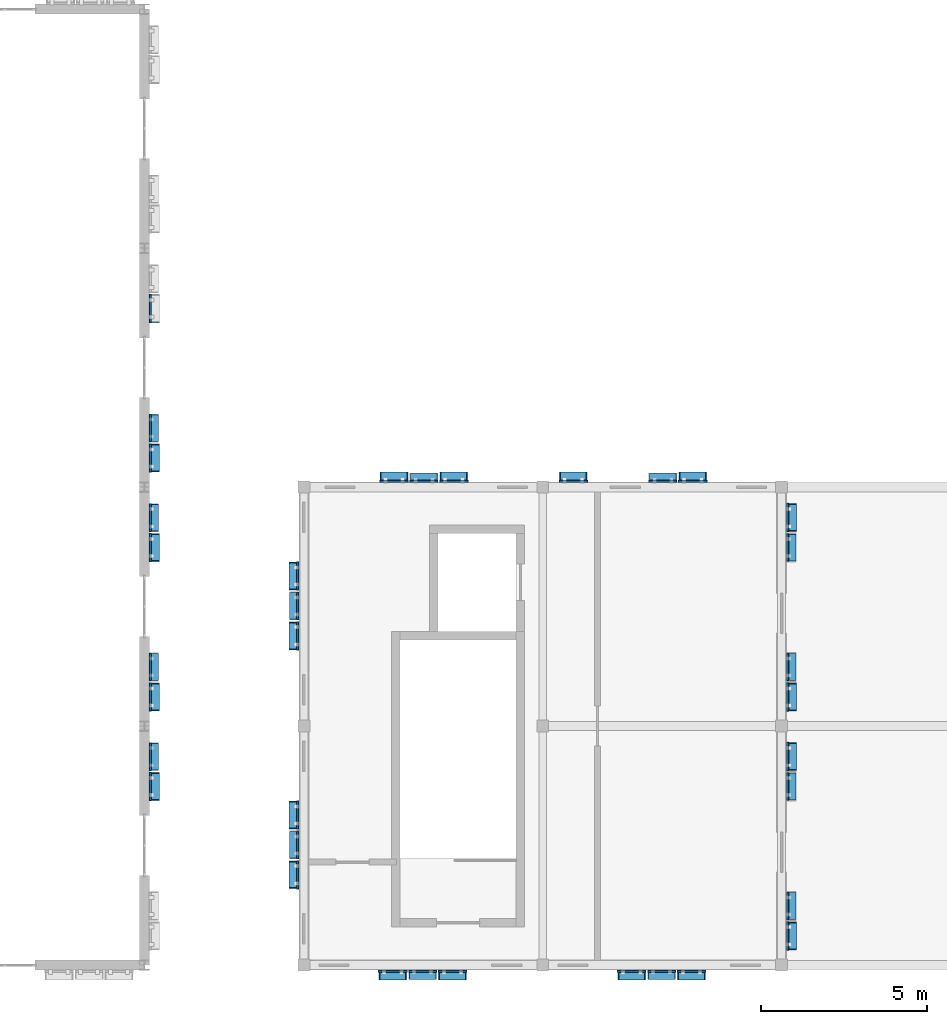
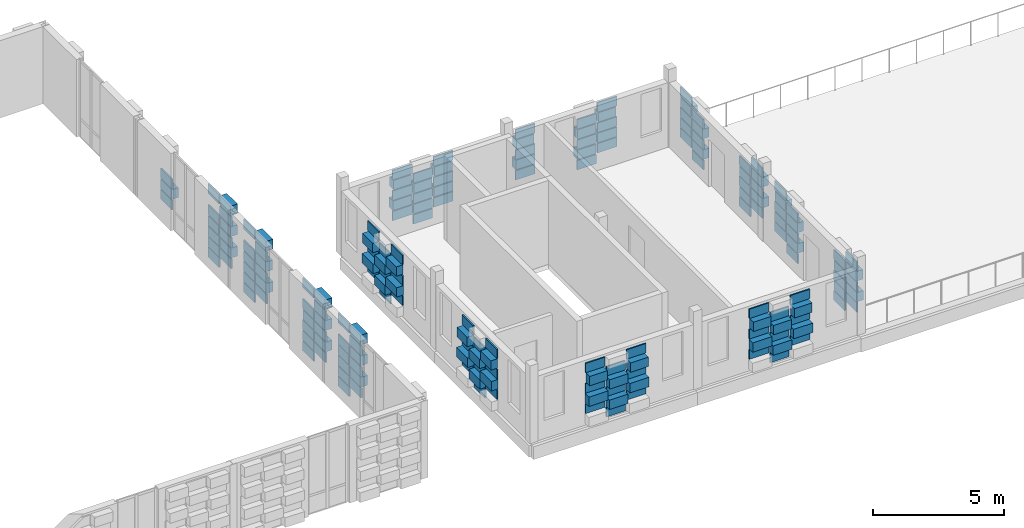
# One storey, part 29 of 57: 181 plates.
"""IFC4 building model written with IfcOpenShell, lengths in metres."""

from ifc_helpers import new_model, si_unit, direction, frame, origin, origin_2d, place, context, subcontext, project, spatial, rectangle, extrude, material, layer, layer_set, type_object, element, save


model = new_model("IFC4")

# Units and contexts
model_context = context("Model", 3, precision=1e-05, world=origin(), true_north=direction((0.0, 1.0)))
body_context = subcontext(model_context, "Body", "Model", "MODEL_VIEW")
ifc_project = project(units=[si_unit("LENGTHUNIT", "METRE"), si_unit("AREAUNIT", "SQUARE_METRE"), si_unit("VOLUMEUNIT", "CUBIC_METRE"), si_unit("PLANEANGLEUNIT", "RADIAN"), si_unit("MASSUNIT", "GRAM", prefix="KILO")], contexts=[model_context])

# Site, building, storey
site_placement = place(None, origin())
site = spatial("IfcSite", under=ifc_project, at=site_placement, CompositionType="ELEMENT")
building_placement = place(site_placement, origin())
building = spatial("IfcBuilding", under=site, at=building_placement, Name="Kahlenmark Community Centre", CompositionType="ELEMENT")
storey_placement = place(building_placement, frame((0.0, 0.0, 13.800048828125)))
storey = spatial("IfcBuildingStorey", under=building, at=storey_placement, Name="L03", CompositionType="ELEMENT", Elevation=13.800048828125)

# Plates
ifc_material_1 = material(Name="Extruded warm terracotta recessed weave tile", Category="masonry")
ifc_layer_1 = layer(ifc_material_1, 0.06005859375)
ifc_layer_set_1 = layer_set([ifc_layer_1], Name="Extruded warm terracotta recessed weave tile")
plate_type_1 = type_object("IfcPlateType", Name="PLT-TC-TC-R10-840X60X435", PredefinedType="SHEET", material=ifc_layer_set_1)
for number, where, z_axis, x_axis, name in (
    (1, (54.3798828125, 8.6201171875, 0.099853515625), (0.0, 0.0, 1.0), (1.0, 0.0, 0.0), "Basketweave terracotta cassette 4478"),
    (2, (54.3798828125, 8.6201171875, 1.0498046875), (0.0, 0.0, 1.0), (1.0, 0.0, 0.0), "Basketweave terracotta cassette 4480"),
    (3, (54.3798828125, 8.6201171875, 2.0), (0.0, 0.0, 1.0), (1.0, 0.0, 0.0), "Basketweave terracotta cassette 4482"),
    (4, (61.580078125, 8.6201171875, 0.099853515625), (0.0, 0.0, 1.0), (1.0, 0.0, 0.0), "Basketweave terracotta cassette 4496"),
    (5, (61.580078125, 8.6201171875, 1.0498046875), (0.0, 0.0, 1.0), (1.0, 0.0, 0.0), "Basketweave terracotta cassette 4498"),
    (6, (61.580078125, 8.6201171875, 2.0), (0.0, 0.0, 1.0), (1.0, 0.0, 0.0), "Basketweave terracotta cassette 4500"),
    (7, (61.6201171875, 23.3798828125, 0.099853515625), (0.0, 0.0, 1.0), (-1.0, 0.0, 0.0), "Basketweave terracotta cassette 4514"),
    (8, (61.6201171875, 23.3798828125, 1.0498046875), (0.0, 0.0, 1.0), (-1.0, 0.0, 0.0), "Basketweave terracotta cassette 4516"),
    (9, (61.6201171875, 23.3798828125, 2.0), (0.0, 0.0, 1.0), (-1.0, 0.0, 0.0), "Basketweave terracotta cassette 4518"),
    (10, (54.419921875, 23.3798828125, 0.099853515625), (0.0, 0.0, 1.0), (-1.0, 0.0, 0.0), "Basketweave terracotta cassette 4532"),
    (11, (54.419921875, 23.3798828125, 1.0498046875), (0.0, 0.0, 1.0), (-1.0, 0.0, 0.0), "Basketweave terracotta cassette 4534"),
    (12, (54.419921875, 23.3798828125, 2.0), (0.0, 0.0, 1.0), (-1.0, 0.0, 0.0), "Basketweave terracotta cassette 4536"),
    (13, (50.6201171875, 19.6201171875, 0.099853515625), (0.0, 0.0, 1.0), (0.0, -1.0, 0.0), "Basketweave terracotta cassette 4550"),
    (14, (50.6201171875, 19.6201171875, 1.0498046875), (0.0, 0.0, 1.0), (0.0, -1.0, 0.0), "Basketweave terracotta cassette 4552"),
    (15, (50.6201171875, 19.6201171875, 2.0), (0.0, 0.0, 1.0), (0.0, -1.0, 0.0), "Basketweave terracotta cassette 4554"),
    (16, (50.6201171875, 12.419921875, 0.099853515625), (0.0, 0.0, 1.0), (0.0, -1.0, 0.0), "Basketweave terracotta cassette 4568"),
    (17, (50.6201171875, 12.419921875, 1.0498046875), (0.0, 0.0, 1.0), (0.0, -1.0, 0.0), "Basketweave terracotta cassette 4570"),
    (18, (50.6201171875, 12.419921875, 2.0), (0.0, 0.0, 1.0), (0.0, -1.0, 0.0), "Basketweave terracotta cassette 4572"),
    (19, (65.3798828125, 10.580078125, 0.099853515625), (0.0, 0.0, 1.0), (0.0, 1.0, 0.0), "Basketweave terracotta cassette 4586"),
    (20, (65.3798828125, 10.580078125, 1.0498046875), (0.0, 0.0, 1.0), (0.0, 1.0, 0.0), "Basketweave terracotta cassette 4588"),
    (21, (65.3798828125, 10.580078125, 2.0), (0.0, 0.0, 1.0), (0.0, 1.0, 0.0), "Basketweave terracotta cassette 4590"),
    (22, (65.3798828125, 14.179931640625, 0.099853515625), (0.0, 0.0, 1.0), (0.0, 1.0, 0.0), "Basketweave terracotta cassette 4592"),
    (23, (65.3798828125, 14.179931640625, 1.0498046875), (0.0, 0.0, 1.0), (0.0, 1.0, 0.0), "Basketweave terracotta cassette 4594"),
    (24, (65.3798828125, 14.179931640625, 2.0), (0.0, 0.0, 1.0), (0.0, 1.0, 0.0), "Basketweave terracotta cassette 4596"),
    (25, (65.3798828125, 17.780029296875, 0.099853515625), (0.0, 0.0, 1.0), (0.0, 1.0, 0.0), "Basketweave terracotta cassette 4610"),
    (26, (65.3798828125, 17.780029296875, 1.0498046875), (0.0, 0.0, 1.0), (0.0, 1.0, 0.0), "Basketweave terracotta cassette 4612"),
    (27, (65.3798828125, 17.780029296875, 2.0), (0.0, 0.0, 1.0), (0.0, 1.0, 0.0), "Basketweave terracotta cassette 4614"),
    (28, (65.3798828125, 21.3798828125, 0.099853515625), (0.0, 0.0, 1.0), (0.0, 1.0, 0.0), "Basketweave terracotta cassette 4616"),
    (29, (65.3798828125, 21.3798828125, 1.0498046875), (0.0, 0.0, 1.0), (0.0, 1.0, 0.0), "Basketweave terracotta cassette 4618"),
    (30, (65.3798828125, 21.3798828125, 2.0), (0.0, 0.0, 1.0), (0.0, 1.0, 0.0), "Basketweave terracotta cassette 4620"),
):
    element("IfcPlate", number, at=place(storey_placement, frame(where, z_axis=z_axis, x_axis=x_axis)), inside=storey, type_object=plate_type_1, Name=name, PredefinedType="SHEET", context=body_context, shape_type="SweptSolid", body=[
        extrude(rectangle(XDim=0.840087890625, YDim=0.06005859375, at=origin_2d()), origin(), (0.0, 0.0, 1.0), 0.43505859375),
    ])
ifc_layer_2 = layer(ifc_material_1, 0.06005859375)
ifc_layer_set_2 = layer_set([ifc_layer_2], Name="Extruded warm terracotta recessed weave tile")
plate_type_2 = type_object("IfcPlateType", Name="PLT-TC-TC-R10-840X60X450", PredefinedType="SHEET", material=ifc_layer_set_2)
for number, where, z_axis, x_axis, name in (
    (31, (46.179931640625, 15.080078125, 0.10009765625), (0.0, 0.0, 1.0), (0.0, 1.0, 0.0), "Basketweave terracotta cassette 3865"),
    (32, (46.179931640625, 15.080078125, 1.080078125), (0.0, 0.0, 1.0), (0.0, 1.0, 0.0), "Basketweave terracotta cassette 3867"),
    (33, (46.179931640625, 15.080078125, 2.06005859375), (0.0, 0.0, 1.0), (0.0, 1.0, 0.0), "Basketweave terracotta cassette 3869"),
    (34, (46.179931640625, 15.080078125, 3.0400390625), (0.0, 0.0, 1.0), (0.0, 1.0, 0.0), "Basketweave terracotta cassette 3871"),
    (35, (46.179931640625, 17.780029296875, 0.10009765625), (0.0, 0.0, 1.0), (0.0, 1.0, 0.0), "Basketweave terracotta cassette 3879"),
    (36, (46.179931640625, 17.780029296875, 1.080078125), (0.0, 0.0, 1.0), (0.0, 1.0, 0.0), "Basketweave terracotta cassette 3881"),
    (37, (46.179931640625, 17.780029296875, 2.06005859375), (0.0, 0.0, 1.0), (0.0, 1.0, 0.0), "Basketweave terracotta cassette 3883"),
    (38, (46.179931640625, 17.780029296875, 3.0400390625), (0.0, 0.0, 1.0), (0.0, 1.0, 0.0), "Basketweave terracotta cassette 3885"),
    (39, (46.179931640625, 22.280029296875, 0.10009765625), (0.0, 0.0, 1.0), (0.0, 1.0, 0.0), "Basketweave terracotta cassette 3893"),
    (40, (46.179931640625, 22.280029296875, 1.080078125), (0.0, 0.0, 1.0), (0.0, 1.0, 0.0), "Basketweave terracotta cassette 3895"),
    (41, (46.179931640625, 22.280029296875, 2.06005859375), (0.0, 0.0, 1.0), (0.0, 1.0, 0.0), "Basketweave terracotta cassette 3897"),
    (42, (46.179931640625, 22.280029296875, 3.0400390625), (0.0, 0.0, 1.0), (0.0, 1.0, 0.0), "Basketweave terracotta cassette 3899"),
    (43, (46.179931640625, 24.97998046875, 0.10009765625), (0.0, 0.0, 1.0), (0.0, 1.0, 0.0), "Basketweave terracotta cassette 3907"),
    (44, (46.179931640625, 24.97998046875, 1.080078125), (0.0, 0.0, 1.0), (0.0, 1.0, 0.0), "Basketweave terracotta cassette 3909"),
    (45, (46.179931640625, 24.97998046875, 2.06005859375), (0.0, 0.0, 1.0), (0.0, 1.0, 0.0), "Basketweave terracotta cassette 3911"),
    (46, (46.179931640625, 24.97998046875, 3.0400390625), (0.0, 0.0, 1.0), (0.0, 1.0, 0.0), "Basketweave terracotta cassette 3913"),
):
    element("IfcPlate", number, at=place(storey_placement, frame(where, z_axis=z_axis, x_axis=x_axis)), inside=storey, type_object=plate_type_2, Name=name, PredefinedType="SHEET", context=body_context, shape_type="SweptSolid", body=[
        extrude(rectangle(XDim=0.840087890625, YDim=0.06005859375, at=origin_2d()), origin(), (0.0, 0.0, 1.0), 0.449951171875),
    ])
ifc_layer_3 = layer(ifc_material_1, 0.06005859375)
ifc_layer_set_3 = layer_set([ifc_layer_3], Name="Extruded warm terracotta recessed weave tile")
plate_type_3 = type_object("IfcPlateType", Name="PLT-TC-TC-R10-860X60X435", PredefinedType="SHEET", material=ifc_layer_set_3)
for number, where, z_axis, x_axis, name in (
    (47, (53.47998046875, 8.6201171875, 0.574951171875), (0.0, 0.0, 1.0), (1.0, 0.0, 0.0), "Basketweave terracotta cassette 4473"),
    (48, (53.47998046875, 8.6201171875, 1.52490234375), (0.0, 0.0, 1.0), (1.0, 0.0, 0.0), "Basketweave terracotta cassette 4475"),
    (49, (53.47998046875, 8.6201171875, 2.474853515625), (0.0, 0.0, 1.0), (1.0, 0.0, 0.0), "Basketweave terracotta cassette 4477"),
    (50, (55.280029296875, 8.6201171875, 0.574951171875), (0.0, 0.0, 1.0), (1.0, 0.0, 0.0), "Basketweave terracotta cassette 4485"),
    (51, (55.280029296875, 8.6201171875, 1.52490234375), (0.0, 0.0, 1.0), (1.0, 0.0, 0.0), "Basketweave terracotta cassette 4487"),
    (52, (55.280029296875, 8.6201171875, 2.474853515625), (0.0, 0.0, 1.0), (1.0, 0.0, 0.0), "Basketweave terracotta cassette 4489"),
    (53, (60.679931640625, 8.6201171875, 0.574951171875), (0.0, 0.0, 1.0), (1.0, 0.0, 0.0), "Basketweave terracotta cassette 4491"),
    (54, (60.679931640625, 8.6201171875, 1.52490234375), (0.0, 0.0, 1.0), (1.0, 0.0, 0.0), "Basketweave terracotta cassette 4493"),
    (55, (60.679931640625, 8.6201171875, 2.474853515625), (0.0, 0.0, 1.0), (1.0, 0.0, 0.0), "Basketweave terracotta cassette 4495"),
    (56, (62.47998046875, 8.6201171875, 0.574951171875), (0.0, 0.0, 1.0), (1.0, 0.0, 0.0), "Basketweave terracotta cassette 4503"),
    (57, (62.47998046875, 8.6201171875, 1.52490234375), (0.0, 0.0, 1.0), (1.0, 0.0, 0.0), "Basketweave terracotta cassette 4505"),
    (58, (62.47998046875, 8.6201171875, 2.474853515625), (0.0, 0.0, 1.0), (1.0, 0.0, 0.0), "Basketweave terracotta cassette 4507"),
    (59, (62.52001953125, 23.3798828125, 0.574951171875), (0.0, 0.0, 1.0), (-1.0, 0.0, 0.0), "Basketweave terracotta cassette 4509"),
    (60, (62.52001953125, 23.3798828125, 1.52490234375), (0.0, 0.0, 1.0), (-1.0, 0.0, 0.0), "Basketweave terracotta cassette 4511"),
    (61, (62.52001953125, 23.3798828125, 2.474853515625), (0.0, 0.0, 1.0), (-1.0, 0.0, 0.0), "Basketweave terracotta cassette 4513"),
    (62, (58.919921875, 23.3798828125, 0.574951171875), (0.0, 0.0, 1.0), (-1.0, 0.0, 0.0), "Basketweave terracotta cassette 4521"),
    (63, (58.919921875, 23.3798828125, 1.52490234375), (0.0, 0.0, 1.0), (-1.0, 0.0, 0.0), "Basketweave terracotta cassette 4523"),
    (64, (58.919921875, 23.3798828125, 2.474853515625), (0.0, 0.0, 1.0), (-1.0, 0.0, 0.0), "Basketweave terracotta cassette 4525"),
    (65, (55.320068359375, 23.3798828125, 0.574951171875), (0.0, 0.0, 1.0), (-1.0, 0.0, 0.0), "Basketweave terracotta cassette 4527"),
    (66, (55.320068359375, 23.3798828125, 1.52490234375), (0.0, 0.0, 1.0), (-1.0, 0.0, 0.0), "Basketweave terracotta cassette 4529"),
    (67, (55.320068359375, 23.3798828125, 2.474853515625), (0.0, 0.0, 1.0), (-1.0, 0.0, 0.0), "Basketweave terracotta cassette 4531"),
    (68, (53.52001953125, 23.3798828125, 0.574951171875), (0.0, 0.0, 1.0), (-1.0, 0.0, 0.0), "Basketweave terracotta cassette 4539"),
    (69, (53.52001953125, 23.3798828125, 1.52490234375), (0.0, 0.0, 1.0), (-1.0, 0.0, 0.0), "Basketweave terracotta cassette 4541"),
    (70, (53.52001953125, 23.3798828125, 2.474853515625), (0.0, 0.0, 1.0), (-1.0, 0.0, 0.0), "Basketweave terracotta cassette 4543"),
    (71, (50.6201171875, 20.52001953125, 0.574951171875), (0.0, 0.0, 1.0), (0.0, -1.0, 0.0), "Basketweave terracotta cassette 4545"),
    (72, (50.6201171875, 20.52001953125, 1.52490234375), (0.0, 0.0, 1.0), (0.0, -1.0, 0.0), "Basketweave terracotta cassette 4547"),
    (73, (50.6201171875, 20.52001953125, 2.474853515625), (0.0, 0.0, 1.0), (0.0, -1.0, 0.0), "Basketweave terracotta cassette 4549"),
    (74, (50.6201171875, 18.719970703125, 0.574951171875), (0.0, 0.0, 1.0), (0.0, -1.0, 0.0), "Basketweave terracotta cassette 4557"),
    (75, (50.6201171875, 18.719970703125, 1.52490234375), (0.0, 0.0, 1.0), (0.0, -1.0, 0.0), "Basketweave terracotta cassette 4559"),
    (76, (50.6201171875, 18.719970703125, 2.474853515625), (0.0, 0.0, 1.0), (0.0, -1.0, 0.0), "Basketweave terracotta cassette 4561"),
    (77, (50.6201171875, 13.320068359375, 0.574951171875), (0.0, 0.0, 1.0), (0.0, -1.0, 0.0), "Basketweave terracotta cassette 4563"),
    (78, (50.6201171875, 13.320068359375, 1.52490234375), (0.0, 0.0, 1.0), (0.0, -1.0, 0.0), "Basketweave terracotta cassette 4565"),
    (79, (50.6201171875, 13.320068359375, 2.474853515625), (0.0, 0.0, 1.0), (0.0, -1.0, 0.0), "Basketweave terracotta cassette 4567"),
    (80, (50.6201171875, 11.52001953125, 0.574951171875), (0.0, 0.0, 1.0), (0.0, -1.0, 0.0), "Basketweave terracotta cassette 4575"),
    (81, (50.6201171875, 11.52001953125, 1.52490234375), (0.0, 0.0, 1.0), (0.0, -1.0, 0.0), "Basketweave terracotta cassette 4577"),
    (82, (50.6201171875, 11.52001953125, 2.474853515625), (0.0, 0.0, 1.0), (0.0, -1.0, 0.0), "Basketweave terracotta cassette 4579"),
    (83, (65.3798828125, 9.679931640625, 0.574951171875), (0.0, 0.0, 1.0), (0.0, 1.0, 0.0), "Basketweave terracotta cassette 4581"),
    (84, (65.3798828125, 9.679931640625, 1.52490234375), (0.0, 0.0, 1.0), (0.0, 1.0, 0.0), "Basketweave terracotta cassette 4583"),
    (85, (65.3798828125, 9.679931640625, 2.474853515625), (0.0, 0.0, 1.0), (0.0, 1.0, 0.0), "Basketweave terracotta cassette 4585"),
    (86, (65.3798828125, 15.080078125, 0.574951171875), (0.0, 0.0, 1.0), (0.0, 1.0, 0.0), "Basketweave terracotta cassette 4599"),
    (87, (65.3798828125, 15.080078125, 1.52490234375), (0.0, 0.0, 1.0), (0.0, 1.0, 0.0), "Basketweave terracotta cassette 4601"),
    (88, (65.3798828125, 15.080078125, 2.474853515625), (0.0, 0.0, 1.0), (0.0, 1.0, 0.0), "Basketweave terracotta cassette 4603"),
    (89, (65.3798828125, 16.8798828125, 0.574951171875), (0.0, 0.0, 1.0), (0.0, 1.0, 0.0), "Basketweave terracotta cassette 4605"),
    (90, (65.3798828125, 16.8798828125, 1.52490234375), (0.0, 0.0, 1.0), (0.0, 1.0, 0.0), "Basketweave terracotta cassette 4607"),
    (91, (65.3798828125, 16.8798828125, 2.474853515625), (0.0, 0.0, 1.0), (0.0, 1.0, 0.0), "Basketweave terracotta cassette 4609"),
    (92, (65.3798828125, 22.280029296875, 0.574951171875), (0.0, 0.0, 1.0), (0.0, 1.0, 0.0), "Basketweave terracotta cassette 4623"),
    (93, (65.3798828125, 22.280029296875, 1.52490234375), (0.0, 0.0, 1.0), (0.0, 1.0, 0.0), "Basketweave terracotta cassette 4625"),
    (94, (65.3798828125, 22.280029296875, 2.474853515625), (0.0, 0.0, 1.0), (0.0, 1.0, 0.0), "Basketweave terracotta cassette 4627"),
):
    element("IfcPlate", number, at=place(storey_placement, frame(where, z_axis=z_axis, x_axis=x_axis)), inside=storey, type_object=plate_type_3, Name=name, PredefinedType="SHEET", context=body_context, shape_type="SweptSolid", body=[
        extrude(rectangle(XDim=0.860107421875, YDim=0.06005859375, at=origin_2d()), origin(), (0.0, 0.0, 1.0), 0.43505859375),
    ])
ifc_layer_4 = layer(ifc_material_1, 0.06005859375)
ifc_layer_set_4 = layer_set([ifc_layer_4], Name="Extruded warm terracotta recessed weave tile")
plate_type_4 = type_object("IfcPlateType", Name="PLT-TC-TC-R10-860X60X450", PredefinedType="SHEET", material=ifc_layer_set_4)
for number, where, z_axis, x_axis, name in (
    (95, (46.179931640625, 14.179931640625, 0.58984375), (0.0, 0.0, 1.0), (0.0, 1.0, 0.0), "Basketweave terracotta cassette 3859"),
    (96, (46.179931640625, 14.179931640625, 1.56982421875), (0.0, 0.0, 1.0), (0.0, 1.0, 0.0), "Basketweave terracotta cassette 3861"),
    (97, (46.179931640625, 14.179931640625, 2.5498046875), (0.0, 0.0, 1.0), (0.0, 1.0, 0.0), "Basketweave terracotta cassette 3863"),
    (98, (46.179931640625, 16.8798828125, 0.58984375), (0.0, 0.0, 1.0), (0.0, 1.0, 0.0), "Basketweave terracotta cassette 3873"),
    (99, (46.179931640625, 16.8798828125, 1.56982421875), (0.0, 0.0, 1.0), (0.0, 1.0, 0.0), "Basketweave terracotta cassette 3875"),
    (100, (46.179931640625, 16.8798828125, 2.5498046875), (0.0, 0.0, 1.0), (0.0, 1.0, 0.0), "Basketweave terracotta cassette 3877"),
    (101, (46.179931640625, 21.3798828125, 0.58984375), (0.0, 0.0, 1.0), (0.0, 1.0, 0.0), "Basketweave terracotta cassette 3887"),
    (102, (46.179931640625, 21.3798828125, 1.56982421875), (0.0, 0.0, 1.0), (0.0, 1.0, 0.0), "Basketweave terracotta cassette 3889"),
    (103, (46.179931640625, 21.3798828125, 2.5498046875), (0.0, 0.0, 1.0), (0.0, 1.0, 0.0), "Basketweave terracotta cassette 3891"),
    (104, (46.179931640625, 24.080078125, 0.58984375), (0.0, 0.0, 1.0), (0.0, 1.0, 0.0), "Basketweave terracotta cassette 3901"),
    (105, (46.179931640625, 24.080078125, 1.56982421875), (0.0, 0.0, 1.0), (0.0, 1.0, 0.0), "Basketweave terracotta cassette 3903"),
    (106, (46.179931640625, 24.080078125, 2.5498046875), (0.0, 0.0, 1.0), (0.0, 1.0, 0.0), "Basketweave terracotta cassette 3905"),
    (107, (46.179931640625, 28.580078125, 0.58984375), (0.0, 0.0, 1.0), (0.0, 1.0, 0.0), "Basketweave terracotta cassette 3915"),
    (108, (46.179931640625, 28.580078125, 1.56982421875), (0.0, 0.0, 1.0), (0.0, 1.0, 0.0), "Basketweave terracotta cassette 3917"),
):
    element("IfcPlate", number, at=place(storey_placement, frame(where, z_axis=z_axis, x_axis=x_axis)), inside=storey, type_object=plate_type_4, Name=name, PredefinedType="SHEET", context=body_context, shape_type="SweptSolid", body=[
        extrude(rectangle(XDim=0.860107421875, YDim=0.06005859375, at=origin_2d()), origin(), (0.0, 0.0, 1.0), 0.449951171875),
    ])
ifc_material_2 = material(Name="Extruded glazed terracotta weave cassette", Category="masonry")
ifc_layer_5 = layer(ifc_material_2, 0.300048828125)
ifc_layer_set_5 = layer_set([ifc_layer_5], Name="Extruded glazed terracotta weave cassette")
plate_type_5 = type_object("IfcPlateType", Name="PLT-TC-TC-R34-780X300X435", PredefinedType="SHEET", material=ifc_layer_set_5)
for number, where, z_axis, x_axis, name in (
    (109, (53.47998046875, 8.5, 2.0), (0.0, 0.0, 1.0), (1.0, 0.0, 0.0), "Basketweave terracotta cassette 4476"),
    (110, (55.280029296875, 8.5, 2.0), (0.0, 0.0, 1.0), (1.0, 0.0, 0.0), "Basketweave terracotta cassette 4488"),
    (111, (60.679931640625, 8.5, 2.0), (0.0, 0.0, 1.0), (1.0, 0.0, 0.0), "Basketweave terracotta cassette 4494"),
    (112, (62.47998046875, 8.5, 2.0), (0.0, 0.0, 1.0), (1.0, 0.0, 0.0), "Basketweave terracotta cassette 4506"),
    (113, (62.52001953125, 23.5, 2.0), (0.0, 0.0, 1.0), (-1.0, 0.0, 0.0), "Basketweave terracotta cassette 4512"),
    (114, (58.919921875, 23.5, 2.0), (0.0, 0.0, 1.0), (-1.0, 0.0, 0.0), "Basketweave terracotta cassette 4524"),
    (115, (55.320068359375, 23.5, 2.0), (0.0, 0.0, 1.0), (-1.0, 0.0, 0.0), "Basketweave terracotta cassette 4530"),
    (116, (53.52001953125, 23.5, 2.0), (0.0, 0.0, 1.0), (-1.0, 0.0, 0.0), "Basketweave terracotta cassette 4542"),
    (117, (50.5, 20.52001953125, 2.0), (0.0, 0.0, 1.0), (0.0, -1.0, 0.0), "Basketweave terracotta cassette 4548"),
    (118, (50.5, 18.719970703125, 2.0), (0.0, 0.0, 1.0), (0.0, -1.0, 0.0), "Basketweave terracotta cassette 4560"),
    (119, (50.5, 13.320068359375, 2.0), (0.0, 0.0, 1.0), (0.0, -1.0, 0.0), "Basketweave terracotta cassette 4566"),
    (120, (50.5, 11.52001953125, 2.0), (0.0, 0.0, 1.0), (0.0, -1.0, 0.0), "Basketweave terracotta cassette 4578"),
    (121, (65.5, 9.679931640625, 2.0), (0.0, 0.0, 1.0), (0.0, 1.0, 0.0), "Basketweave terracotta cassette 4584"),
    (122, (65.5, 15.080078125, 2.0), (0.0, 0.0, 1.0), (0.0, 1.0, 0.0), "Basketweave terracotta cassette 4602"),
    (123, (65.5, 16.8798828125, 2.0), (0.0, 0.0, 1.0), (0.0, 1.0, 0.0), "Basketweave terracotta cassette 4608"),
    (124, (65.5, 22.280029296875, 2.0), (0.0, 0.0, 1.0), (0.0, 1.0, 0.0), "Basketweave terracotta cassette 4626"),
):
    element("IfcPlate", number, at=place(storey_placement, frame(where, z_axis=z_axis, x_axis=x_axis)), inside=storey, type_object=plate_type_5, Name=name, PredefinedType="SHEET", context=body_context, shape_type="SweptSolid", body=[
        extrude(rectangle(XDim=0.780029296875, YDim=0.300048828125, at=origin_2d()), origin(), (0.0, 0.0, 1.0), 0.43505859375),
    ])
ifc_layer_6 = layer(ifc_material_2, 0.300048828125)
ifc_layer_set_6 = layer_set([ifc_layer_6], Name="Extruded glazed terracotta weave cassette")
plate_type_6 = type_object("IfcPlateType", Name="PLT-TC-TC-R34-780X300X450", PredefinedType="SHEET", material=ifc_layer_set_6)
for number, where, z_axis, x_axis, name in (
    (125, (46.300048828125, 14.179931640625, 2.06005859375), (0.0, 0.0, 1.0), (0.0, 1.0, 0.0), "Basketweave terracotta cassette 3862"),
    (126, (46.300048828125, 16.8798828125, 2.06005859375), (0.0, 0.0, 1.0), (0.0, 1.0, 0.0), "Basketweave terracotta cassette 3876"),
    (127, (46.300048828125, 21.3798828125, 2.06005859375), (0.0, 0.0, 1.0), (0.0, 1.0, 0.0), "Basketweave terracotta cassette 3890"),
    (128, (46.300048828125, 24.080078125, 2.06005859375), (0.0, 0.0, 1.0), (0.0, 1.0, 0.0), "Basketweave terracotta cassette 3904"),
):
    element("IfcPlate", number, at=place(storey_placement, frame(where, z_axis=z_axis, x_axis=x_axis)), inside=storey, type_object=plate_type_6, Name=name, PredefinedType="SHEET", context=body_context, shape_type="SweptSolid", body=[
        extrude(rectangle(XDim=0.780029296875, YDim=0.300048828125, at=origin_2d()), origin(), (0.0, 0.0, 1.0), 0.449951171875),
    ])
ifc_layer_7 = layer(ifc_material_2, 0.300048828125)
ifc_layer_set_7 = layer_set([ifc_layer_7], Name="Extruded glazed terracotta weave cassette")
plate_type_7 = type_object("IfcPlateType", Name="PLT-TC-TC-R34-820X300X450", PredefinedType="SHEET", material=ifc_layer_set_7)
for number, where, z_axis, x_axis, name in (
    (129, (46.300048828125, 14.179931640625, 3.0400390625), (0.0, 0.0, 1.0), (0.0, 1.0, 0.0), "Basketweave terracotta cassette 3864"),
    (130, (46.300048828125, 16.8798828125, 3.0400390625), (0.0, 0.0, 1.0), (0.0, 1.0, 0.0), "Basketweave terracotta cassette 3878"),
    (131, (46.300048828125, 21.3798828125, 3.0400390625), (0.0, 0.0, 1.0), (0.0, 1.0, 0.0), "Basketweave terracotta cassette 3892"),
    (132, (46.300048828125, 24.080078125, 3.0400390625), (0.0, 0.0, 1.0), (0.0, 1.0, 0.0), "Basketweave terracotta cassette 3906"),
):
    element("IfcPlate", number, at=place(storey_placement, frame(where, z_axis=z_axis, x_axis=x_axis)), inside=storey, type_object=plate_type_7, Name=name, PredefinedType="SHEET", context=body_context, shape_type="SweptSolid", body=[
        extrude(rectangle(XDim=0.820068359375, YDim=0.300048828125, at=origin_2d()), origin(), (0.0, 0.0, 1.0), 0.449951171875),
    ])
ifc_layer_8 = layer(ifc_material_2, 0.300048828125)
ifc_layer_set_8 = layer_set([ifc_layer_8], Name="Extruded glazed terracotta weave cassette")
plate_type_8 = type_object("IfcPlateType", Name="PLT-TC-TC-R34-840X300X435", PredefinedType="SHEET", material=ifc_layer_set_8)
for number, where, z_axis, x_axis, name in (
    (133, (53.47998046875, 8.5, 1.0498046875), (0.0, 0.0, 1.0), (1.0, 0.0, 0.0), "Basketweave terracotta cassette 4474"),
    (134, (55.280029296875, 8.5, 1.0498046875), (0.0, 0.0, 1.0), (1.0, 0.0, 0.0), "Basketweave terracotta cassette 4486"),
    (135, (60.679931640625, 8.5, 1.0498046875), (0.0, 0.0, 1.0), (1.0, 0.0, 0.0), "Basketweave terracotta cassette 4492"),
    (136, (62.47998046875, 8.5, 1.0498046875), (0.0, 0.0, 1.0), (1.0, 0.0, 0.0), "Basketweave terracotta cassette 4504"),
    (137, (62.52001953125, 23.5, 1.0498046875), (0.0, 0.0, 1.0), (-1.0, 0.0, 0.0), "Basketweave terracotta cassette 4510"),
    (138, (58.919921875, 23.5, 1.0498046875), (0.0, 0.0, 1.0), (-1.0, 0.0, 0.0), "Basketweave terracotta cassette 4522"),
    (139, (55.320068359375, 23.5, 1.0498046875), (0.0, 0.0, 1.0), (-1.0, 0.0, 0.0), "Basketweave terracotta cassette 4528"),
    (140, (53.52001953125, 23.5, 1.0498046875), (0.0, 0.0, 1.0), (-1.0, 0.0, 0.0), "Basketweave terracotta cassette 4540"),
    (141, (50.5, 20.52001953125, 1.0498046875), (0.0, 0.0, 1.0), (0.0, -1.0, 0.0), "Basketweave terracotta cassette 4546"),
    (142, (50.5, 18.719970703125, 1.0498046875), (0.0, 0.0, 1.0), (0.0, -1.0, 0.0), "Basketweave terracotta cassette 4558"),
    (143, (50.5, 13.320068359375, 1.0498046875), (0.0, 0.0, 1.0), (0.0, -1.0, 0.0), "Basketweave terracotta cassette 4564"),
    (144, (50.5, 11.52001953125, 1.0498046875), (0.0, 0.0, 1.0), (0.0, -1.0, 0.0), "Basketweave terracotta cassette 4576"),
    (145, (65.5, 9.679931640625, 1.0498046875), (0.0, 0.0, 1.0), (0.0, 1.0, 0.0), "Basketweave terracotta cassette 4582"),
    (146, (65.5, 15.080078125, 1.0498046875), (0.0, 0.0, 1.0), (0.0, 1.0, 0.0), "Basketweave terracotta cassette 4600"),
    (147, (65.5, 16.8798828125, 1.0498046875), (0.0, 0.0, 1.0), (0.0, 1.0, 0.0), "Basketweave terracotta cassette 4606"),
    (148, (65.5, 22.280029296875, 1.0498046875), (0.0, 0.0, 1.0), (0.0, 1.0, 0.0), "Basketweave terracotta cassette 4624"),
):
    element("IfcPlate", number, at=place(storey_placement, frame(where, z_axis=z_axis, x_axis=x_axis)), inside=storey, type_object=plate_type_8, Name=name, PredefinedType="SHEET", context=body_context, shape_type="SweptSolid", body=[
        extrude(rectangle(XDim=0.840087890625, YDim=0.300048828125, at=origin_2d()), origin(), (0.0, 0.0, 1.0), 0.43505859375),
    ])
ifc_layer_9 = layer(ifc_material_2, 0.300048828125)
ifc_layer_set_9 = layer_set([ifc_layer_9], Name="Extruded glazed terracotta weave cassette")
plate_type_9 = type_object("IfcPlateType", Name="PLT-TC-TC-R34-840X300X450", PredefinedType="SHEET", material=ifc_layer_set_9)
for number, where, z_axis, x_axis, name in (
    (149, (46.300048828125, 14.179931640625, 1.080078125), (0.0, 0.0, 1.0), (0.0, 1.0, 0.0), "Basketweave terracotta cassette 3860"),
    (150, (46.300048828125, 16.8798828125, 1.080078125), (0.0, 0.0, 1.0), (0.0, 1.0, 0.0), "Basketweave terracotta cassette 3874"),
    (151, (46.300048828125, 21.3798828125, 1.080078125), (0.0, 0.0, 1.0), (0.0, 1.0, 0.0), "Basketweave terracotta cassette 3888"),
    (152, (46.300048828125, 24.080078125, 1.080078125), (0.0, 0.0, 1.0), (0.0, 1.0, 0.0), "Basketweave terracotta cassette 3902"),
    (153, (46.300048828125, 28.580078125, 1.080078125), (0.0, 0.0, 1.0), (0.0, 1.0, 0.0), "Basketweave terracotta cassette 3916"),
):
    element("IfcPlate", number, at=place(storey_placement, frame(where, z_axis=z_axis, x_axis=x_axis)), inside=storey, type_object=plate_type_9, Name=name, PredefinedType="SHEET", context=body_context, shape_type="SweptSolid", body=[
        extrude(rectangle(XDim=0.840087890625, YDim=0.300048828125, at=origin_2d()), origin(), (0.0, 0.0, 1.0), 0.449951171875),
    ])
ifc_layer_10 = layer(ifc_material_2, 0.280029296875)
ifc_layer_set_10 = layer_set([ifc_layer_10], Name="Extruded glazed terracotta weave cassette")
plate_type_10 = type_object("IfcPlateType", Name="PLT-TC-TC-W30-800X280X435", PredefinedType="SHEET", material=ifc_layer_set_10)
for number, where, z_axis, x_axis, name in (
    (154, (54.3798828125, 8.510009765625, 1.52490234375), (0.0, 0.0, 1.0), (1.0, 0.0, 0.0), "Basketweave terracotta cassette 4481"),
    (155, (61.580078125, 8.510009765625, 1.52490234375), (0.0, 0.0, 1.0), (1.0, 0.0, 0.0), "Basketweave terracotta cassette 4499"),
    (156, (61.6201171875, 23.489990234375, 1.52490234375), (0.0, 0.0, 1.0), (-1.0, 0.0, 0.0), "Basketweave terracotta cassette 4517"),
    (157, (54.419921875, 23.489990234375, 1.52490234375), (0.0, 0.0, 1.0), (-1.0, 0.0, 0.0), "Basketweave terracotta cassette 4535"),
    (158, (50.510009765625, 19.6201171875, 1.52490234375), (0.0, 0.0, 1.0), (0.0, -1.0, 0.0), "Basketweave terracotta cassette 4553"),
    (159, (50.510009765625, 12.419921875, 1.52490234375), (0.0, 0.0, 1.0), (0.0, -1.0, 0.0), "Basketweave terracotta cassette 4571"),
    (160, (65.489990234375, 10.580078125, 1.52490234375), (0.0, 0.0, 1.0), (0.0, 1.0, 0.0), "Basketweave terracotta cassette 4589"),
    (161, (65.489990234375, 14.179931640625, 1.52490234375), (0.0, 0.0, 1.0), (0.0, 1.0, 0.0), "Basketweave terracotta cassette 4595"),
    (162, (65.489990234375, 17.780029296875, 1.52490234375), (0.0, 0.0, 1.0), (0.0, 1.0, 0.0), "Basketweave terracotta cassette 4613"),
    (163, (65.489990234375, 21.3798828125, 1.52490234375), (0.0, 0.0, 1.0), (0.0, 1.0, 0.0), "Basketweave terracotta cassette 4619"),
):
    element("IfcPlate", number, at=place(storey_placement, frame(where, z_axis=z_axis, x_axis=x_axis)), inside=storey, type_object=plate_type_10, Name=name, PredefinedType="SHEET", context=body_context, shape_type="SweptSolid", body=[
        extrude(rectangle(XDim=0.800048828125, YDim=0.280029296875, at=origin_2d()), origin(), (0.0, 0.0, 1.0), 0.43505859375),
    ])
ifc_layer_11 = layer(ifc_material_2, 0.280029296875)
ifc_layer_set_11 = layer_set([ifc_layer_11], Name="Extruded glazed terracotta weave cassette")
plate_type_11 = type_object("IfcPlateType", Name="PLT-TC-TC-W30-800X280X450", PredefinedType="SHEET", material=ifc_layer_set_11)
for number, where, z_axis, x_axis, name in (
    (164, (46.2900390625, 15.080078125, 1.56982421875), (0.0, 0.0, 1.0), (0.0, 1.0, 0.0), "Basketweave terracotta cassette 3868"),
    (165, (46.2900390625, 17.780029296875, 1.56982421875), (0.0, 0.0, 1.0), (0.0, 1.0, 0.0), "Basketweave terracotta cassette 3882"),
    (166, (46.2900390625, 22.280029296875, 1.56982421875), (0.0, 0.0, 1.0), (0.0, 1.0, 0.0), "Basketweave terracotta cassette 3896"),
    (167, (46.2900390625, 24.97998046875, 1.56982421875), (0.0, 0.0, 1.0), (0.0, 1.0, 0.0), "Basketweave terracotta cassette 3910"),
):
    element("IfcPlate", number, at=place(storey_placement, frame(where, z_axis=z_axis, x_axis=x_axis)), inside=storey, type_object=plate_type_11, Name=name, PredefinedType="SHEET", context=body_context, shape_type="SweptSolid", body=[
        extrude(rectangle(XDim=0.800048828125, YDim=0.280029296875, at=origin_2d()), origin(), (0.0, 0.0, 1.0), 0.449951171875),
    ])
ifc_layer_12 = layer(ifc_material_2, 0.280029296875)
ifc_layer_set_12 = layer_set([ifc_layer_12], Name="Extruded glazed terracotta weave cassette")
plate_type_12 = type_object("IfcPlateType", Name="PLT-TC-TC-W30-820X280X435", PredefinedType="SHEET", material=ifc_layer_set_12)
for number, where, z_axis, x_axis, name in (
    (168, (54.3798828125, 8.510009765625, 0.574951171875), (0.0, 0.0, 1.0), (1.0, 0.0, 0.0), "Basketweave terracotta cassette 4479"),
    (169, (61.580078125, 8.510009765625, 0.574951171875), (0.0, 0.0, 1.0), (1.0, 0.0, 0.0), "Basketweave terracotta cassette 4497"),
    (170, (61.6201171875, 23.489990234375, 0.574951171875), (0.0, 0.0, 1.0), (-1.0, 0.0, 0.0), "Basketweave terracotta cassette 4515"),
    (171, (54.419921875, 23.489990234375, 0.574951171875), (0.0, 0.0, 1.0), (-1.0, 0.0, 0.0), "Basketweave terracotta cassette 4533"),
    (172, (50.510009765625, 19.6201171875, 0.574951171875), (0.0, 0.0, 1.0), (0.0, -1.0, 0.0), "Basketweave terracotta cassette 4551"),
    (173, (50.510009765625, 12.419921875, 0.574951171875), (0.0, 0.0, 1.0), (0.0, -1.0, 0.0), "Basketweave terracotta cassette 4569"),
    (174, (65.489990234375, 10.580078125, 0.574951171875), (0.0, 0.0, 1.0), (0.0, 1.0, 0.0), "Basketweave terracotta cassette 4587"),
    (175, (65.489990234375, 14.179931640625, 0.574951171875), (0.0, 0.0, 1.0), (0.0, 1.0, 0.0), "Basketweave terracotta cassette 4593"),
    (176, (65.489990234375, 17.780029296875, 0.574951171875), (0.0, 0.0, 1.0), (0.0, 1.0, 0.0), "Basketweave terracotta cassette 4611"),
    (177, (65.489990234375, 21.3798828125, 0.574951171875), (0.0, 0.0, 1.0), (0.0, 1.0, 0.0), "Basketweave terracotta cassette 4617"),
):
    element("IfcPlate", number, at=place(storey_placement, frame(where, z_axis=z_axis, x_axis=x_axis)), inside=storey, type_object=plate_type_12, Name=name, PredefinedType="SHEET", context=body_context, shape_type="SweptSolid", body=[
        extrude(rectangle(XDim=0.820068359375, YDim=0.280029296875, at=origin_2d()), origin(), (0.0, 0.0, 1.0), 0.43505859375),
    ])
ifc_layer_13 = layer(ifc_material_2, 0.280029296875)
ifc_layer_set_13 = layer_set([ifc_layer_13], Name="Extruded glazed terracotta weave cassette")
plate_type_13 = type_object("IfcPlateType", Name="PLT-TC-TC-W30-820X280X450", PredefinedType="SHEET", material=ifc_layer_set_13)
for number, where, z_axis, x_axis, name in (
    (178, (46.2900390625, 15.080078125, 0.58984375), (0.0, 0.0, 1.0), (0.0, 1.0, 0.0), "Basketweave terracotta cassette 3866"),
    (179, (46.2900390625, 17.780029296875, 0.58984375), (0.0, 0.0, 1.0), (0.0, 1.0, 0.0), "Basketweave terracotta cassette 3880"),
    (180, (46.2900390625, 22.280029296875, 0.58984375), (0.0, 0.0, 1.0), (0.0, 1.0, 0.0), "Basketweave terracotta cassette 3894"),
    (181, (46.2900390625, 24.97998046875, 0.58984375), (0.0, 0.0, 1.0), (0.0, 1.0, 0.0), "Basketweave terracotta cassette 3908"),
):
    element("IfcPlate", number, at=place(storey_placement, frame(where, z_axis=z_axis, x_axis=x_axis)), inside=storey, type_object=plate_type_13, Name=name, PredefinedType="SHEET", context=body_context, shape_type="SweptSolid", body=[
        extrude(rectangle(XDim=0.820068359375, YDim=0.280029296875, at=origin_2d()), origin(), (0.0, 0.0, 1.0), 0.449951171875),
    ])

save(model, "model.ifc")
